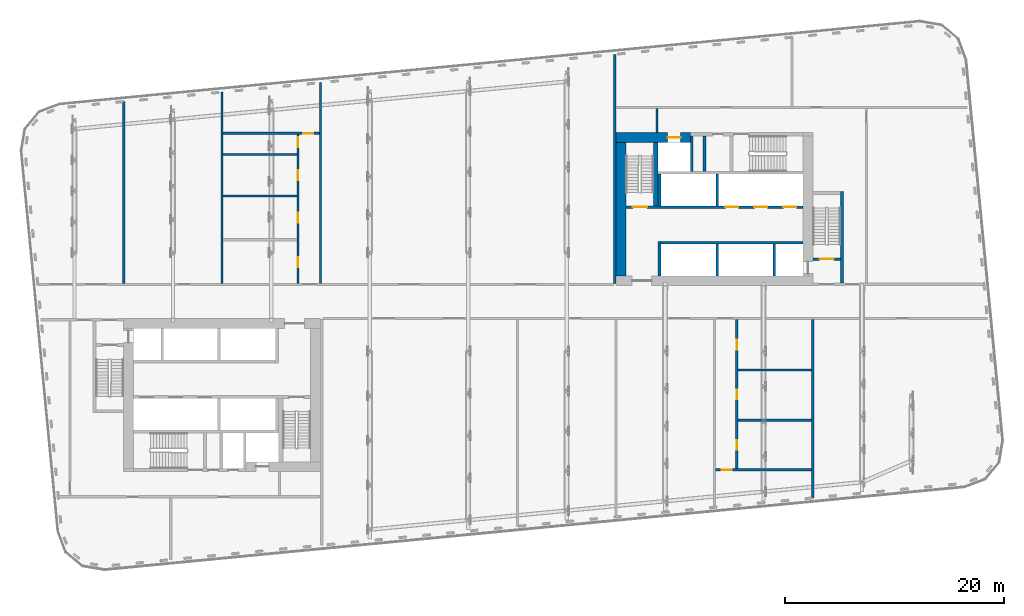
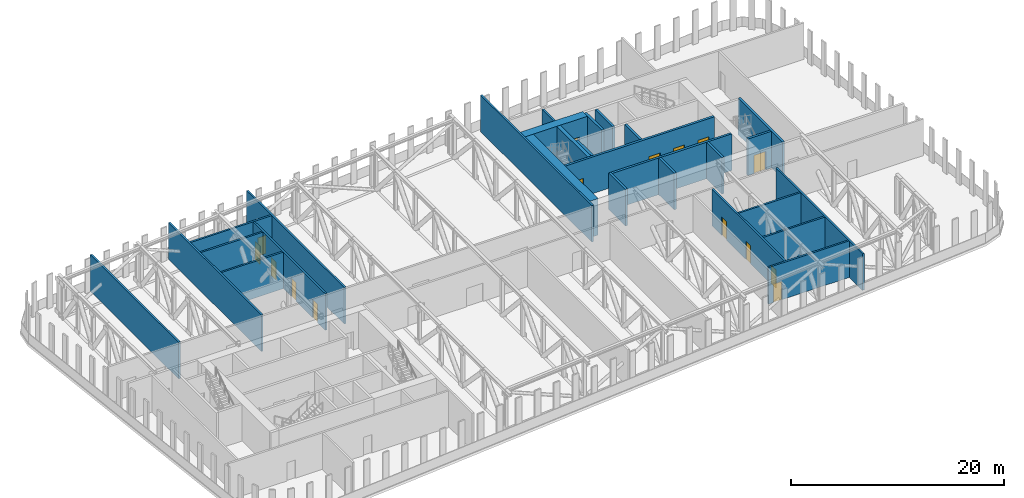
# One storey, part 10 of 22: 28 walls, 15 doors, 15 openings.
"""IFC4 building model written with IfcOpenShell, lengths in metres."""

import ifcopenshell
import ifcopenshell.guid

model = None  # the IFC model being written
_history = None  # IfcOwnerHistory: only IFC2X3 demands one
_inside = {}  # id of a spatial element -> (the spatial element, [elements in it])
_under = {}  # id of a project, library or spatial element -> (it, [spatial elements below it])
_declared = {}  # id of a project -> (the project, [libraries it declares])
_typed = {}  # id of a type object -> (the type object, [elements of that type])
_made_of = {}  # id of a material, layer set ... -> (it, [elements and type objects made of it])


def new_model(schema):
    """Start an empty IFC model of exactly this schema.

    Asked for "IFC4X3", IfcOpenShell would pick the latest addendum, in which some entities
    have other attributes; the version numbers below select the first issue.
    IFC2X3 requires an IfcOwnerHistory on every rooted entity: one is made here for all.
    """
    global model, _history
    if schema == "IFC4X3":
        model = ifcopenshell.file(schema_version=(4, 3, 0, 0))
    else:
        model = ifcopenshell.file(schema=schema)
    _inside.clear()
    _under.clear()
    _declared.clear()
    _typed.clear()
    _made_of.clear()
    _history = None
    if model.schema == "IFC2X3":
        org = make("IfcOrganization", Name="unknown")
        user = make(
            "IfcPersonAndOrganization",
            ThePerson=make("IfcPerson", FamilyName="unknown"),
            TheOrganization=org,
        )
        app = make(
            "IfcApplication",
            ApplicationDeveloper=org,
            Version="unknown",
            ApplicationFullName="unknown",
            ApplicationIdentifier="unknown",
        )
        _history = make(
            "IfcOwnerHistory",
            OwningUser=user,
            OwningApplication=app,
            ChangeAction="ADDED",
            CreationDate=0,
        )
    return model


def make(cls, **values):
    """One entity of the class cls with the attributes given. An attribute that is None is left unset."""
    return model.create_entity(
        cls, **{name: value for name, value in values.items() if value is not None}
    )


def rooted(cls, **values):
    """An entity with a GlobalId (a new one), such as an element, a storey or a relation."""
    return make(cls, GlobalId=ifcopenshell.guid.new(), OwnerHistory=_history, **values)


def si_unit(unit_type, name, prefix=None):
    """IfcSIUnit, for example si_unit("LENGTHUNIT", "METRE", prefix="MILLI")."""
    return make("IfcSIUnit", UnitType=unit_type, Prefix=prefix, Name=name)


def assignment(units):
    """IfcUnitAssignment: the units of a project."""
    return None if units is None else make("IfcUnitAssignment", Units=units)


def point(xyz):
    """IfcCartesianPoint."""
    return None if xyz is None else make("IfcCartesianPoint", Coordinates=xyz)


def direction(xyz):
    """IfcDirection."""
    return None if xyz is None else make("IfcDirection", DirectionRatios=xyz)


def frame(location, z_axis=None, x_axis=None):
    """IfcAxis2Placement3D, a coordinate frame: its origin and axes. An axis left out is left unset."""
    return make(
        "IfcAxis2Placement3D",
        Location=point(location),
        Axis=direction(z_axis),
        RefDirection=direction(x_axis),
    )


def frame_2d(location, x_axis=None):
    """IfcAxis2Placement2D, a coordinate frame in the plane: its origin and x axis."""
    return make(
        "IfcAxis2Placement2D", Location=point(location), RefDirection=direction(x_axis)
    )


def origin():
    """The frame at (0, 0, 0) with its axes left unset."""
    return frame((0.0, 0.0, 0.0))


def place(relative_to, where):
    """IfcLocalPlacement: puts the frame where relative to a parent placement (None: the world)."""
    return make(
        "IfcLocalPlacement", PlacementRelTo=relative_to, RelativePlacement=where
    )


def context(
    kind, dimensions, precision=None, world=None, true_north=None, identifier=None
):
    """IfcGeometricRepresentationContext, for example the 3D "Model" context."""
    return make(
        "IfcGeometricRepresentationContext",
        ContextIdentifier=identifier,
        ContextType=kind,
        CoordinateSpaceDimension=dimensions,
        Precision=precision,
        WorldCoordinateSystem=world,
        TrueNorth=true_north,
    )


def subcontext(parent, identifier, kind, view, scale=None):
    """IfcGeometricRepresentationSubContext, for example "Body" below "Model"."""
    return make(
        "IfcGeometricRepresentationSubContext",
        ContextIdentifier=identifier,
        ContextType=kind,
        ParentContext=parent,
        TargetScale=scale,
        TargetView=view,
    )


def project(units=None, contexts=None):
    """IfcProject with its units and contexts."""
    return rooted(
        "IfcProject",
        Name="project",
        RepresentationContexts=contexts,
        UnitsInContext=assignment(units),
    )


def spatial(cls, under=None, at=None, **own):
    """A site, building, storey or space (cls), placed at a placement, below another one or the project."""
    s = rooted(cls, ObjectPlacement=at, **own)
    if under is not None:
        _under.setdefault(under.id(), (under, []))[1].append(s)
    return s


def profile(cls, at=None, kind="AREA", **sizes):
    """A parametric profile (cls). Its sizes go by their IFC names, for example OverallWidth=200.0."""
    return make(cls, ProfileType=kind, Position=at, **sizes)


def rectangle(**sizes):
    """IfcRectangleProfileDef."""
    return profile("IfcRectangleProfileDef", **sizes)


def extrude(swept, where, along, depth):
    """IfcExtrudedAreaSolid: the profile swept, set in the frame where, extruded along a direction by depth."""
    return make(
        "IfcExtrudedAreaSolid",
        SweptArea=swept,
        Position=where,
        ExtrudedDirection=direction(along),
        Depth=depth,
    )


def shape(context_of_items, identifier, shape_type, items):
    """IfcShapeRepresentation: the items that make up one representation, for example the "Body"."""
    return make(
        "IfcShapeRepresentation",
        ContextOfItems=context_of_items,
        RepresentationIdentifier=identifier,
        RepresentationType=shape_type,
        Items=items,
    )


def material(Name=None, Category=None):
    """IfcMaterial."""
    return make("IfcMaterial", Name=Name, Category=Category)


def layer(
    of_material, thickness, ventilated=None, Name=None, Category=None, Priority=None
):
    """IfcMaterialLayer: one layer of a wall or slab, of a material (None: an air gap)."""
    return make(
        "IfcMaterialLayer",
        Material=of_material,
        LayerThickness=thickness,
        IsVentilated=ventilated,
        Name=Name,
        Category=Category,
        Priority=Priority,
    )


def layer_set(layers, Name=None):
    """IfcMaterialLayerSet."""
    return make("IfcMaterialLayerSet", MaterialLayers=layers, LayerSetName=Name)


def made_of(thing, what):
    """Note that an element or type object is made of a material, layer set ...; save() writes the relation."""
    if what is not None:
        _made_of.setdefault(what.id(), (what, []))[1].append(thing)
    return thing


def type_object(cls, material=None, **own):
    """A type object (cls), such as IfcWallType, which elements share."""
    return made_of(rooted(cls, **own), material)


def element(
    cls,
    number,
    at=None,
    inside=None,
    cuts=None,
    type_object=None,
    material=None,
    context=None,
    identifier="Body",
    shape_type=None,
    held_by="IfcProductDefinitionShape",
    body=None,
    shapes=None,
    **own,
):
    """One element of the class cls, such as IfcWall. Its Tag is "e" and its number.

    at: its placement. inside: the storey or other place that contains it. cuts: it is an
    opening in that element (IfcRelVoidsElement). A single representation is given by context,
    identifier, shape_type and body (its items); several are given by shapes. held_by: the class
    of the entity that holds the representations. save() writes the other relations.
    """
    e = rooted(cls, Tag="e%d" % number, ObjectPlacement=at, **own)
    if body is not None:
        shapes = [shape(context, identifier, shape_type, body)]
    if shapes is not None:
        e.Representation = make(held_by, Representations=shapes)
    if inside is not None:
        _inside.setdefault(inside.id(), (inside, []))[1].append(e)
    if cuts is not None:
        rooted(
            "IfcRelVoidsElement", RelatingBuildingElement=cuts, RelatedOpeningElement=e
        )
    if type_object is not None:
        _typed.setdefault(type_object.id(), (type_object, []))[1].append(e)
    return made_of(e, material)


def fill(opening, filler):
    """IfcRelFillsElement: the door or window that sits in an opening."""
    return rooted(
        "IfcRelFillsElement",
        RelatingOpeningElement=opening,
        RelatedBuildingElement=filler,
    )


def aggregate(whole, parts):
    """IfcRelAggregates: a whole, such as a stair, and the parts it consists of."""
    return rooted("IfcRelAggregates", RelatingObject=whole, RelatedObjects=parts)


def save(model, path):
    """Write the relations noted so far, then the file.

    IfcRelAggregates (storeys below a building ...), IfcRelContainedInSpatialStructure (elements
    in a storey), IfcRelDefinesByType, IfcRelAssociatesMaterial and IfcRelDeclares: one each for
    every whole, place, type object, material and project.
    """
    for whole, parts in _under.values():
        aggregate(whole, parts)
    for where, things in _inside.values():
        rooted(
            "IfcRelContainedInSpatialStructure",
            RelatedElements=things,
            RelatingStructure=where,
        )
    for kind, things in _typed.values():
        rooted("IfcRelDefinesByType", RelatedObjects=things, RelatingType=kind)
    for what, things in _made_of.values():
        rooted("IfcRelAssociatesMaterial", RelatedObjects=things, RelatingMaterial=what)
    for by, libraries in _declared.values():
        rooted("IfcRelDeclares", RelatingContext=by, RelatedDefinitions=libraries)
    model.write(path)


model = new_model("IFC4")

# Units and contexts
model_context = context("Model", 3, precision=1e-05, world=origin(), true_north=direction((0.0, 1.0)))
body_context = subcontext(model_context, "Body", "Model", "MODEL_VIEW")
ifc_project = project(units=[si_unit("LENGTHUNIT", "METRE"), si_unit("AREAUNIT", "SQUARE_METRE"), si_unit("VOLUMEUNIT", "CUBIC_METRE"), si_unit("PLANEANGLEUNIT", "RADIAN"), si_unit("MASSUNIT", "GRAM", prefix="KILO")], contexts=[model_context])

# Site, building, storey
site_placement = place(None, origin())
site = spatial("IfcSite", under=ifc_project, at=site_placement, CompositionType="ELEMENT")
building_placement = place(site_placement, origin())
building = spatial("IfcBuilding", under=site, at=building_placement, Name="Kajstack Hotel Tower", CompositionType="ELEMENT")
storey_placement = place(building_placement, frame((0.0, 0.0, 150.39990234375)))
storey = spatial("IfcBuildingStorey", under=building, at=storey_placement, Name="L35", CompositionType="ELEMENT", Elevation=150.39990234375)

# Wall, opening, door
ifc_material_1 = material(Name="Concrete C60/75", Category="concrete")
ifc_layer_1 = layer(ifc_material_1, 0.89990234375)
ifc_layer_set_1 = layer_set([ifc_layer_1], Name="Core wall 900")
wall_type_1 = type_object("IfcWallType", Name="Core wall 900", PredefinedType="SHEAR", material=ifc_layer_set_1)
wall_1_placement = place(storey_placement, frame((13.5, 15.050048828125, 0.0), z_axis=(0.0, 0.0, 1.0), x_axis=(1.0, 0.0, 0.0)))
wall_1 = element("IfcWall", 1, at=wall_1_placement, inside=storey, type_object=wall_type_1, Name="Core wall E RS", PredefinedType="SHEAR", context=body_context, shape_type="SweptSolid", body=[
    extrude(rectangle(XDim=6.800048828125, YDim=0.89990234375, at=frame_2d((3.39990234375, 0.0))), origin(), (0.0, 0.0, 1.0), 4.2001953125),
])
opening_1_placement = place(wall_1_placement, frame((4.72509765625, 0.0, 0.0)))
opening_1 = element("IfcOpeningElement", 2, at=opening_1_placement, cuts=wall_1, Name="Opening LD-SV2", PredefinedType="OPENING", context=body_context, shape_type="SweptSolid", body=[
    extrude(rectangle(XDim=1.199951171875, YDim=2.10009765625, at=frame_2d((0.60009765625, 1.050048828125))), frame((0.0, 0.4599609375, 0.0), z_axis=(0.0, -1.0, 0.0), x_axis=(1.0, 0.0, 0.0)), (0.0, 0.0, 1.0), 0.919921875),
])
ifc_material_2 = material(Name="Stainless steel", Category="steel")
door_type_1 = type_object("IfcDoorType", Name="Lift landing door 1200", OperationType="SLIDING_TO_LEFT", PredefinedType="DOOR", material=ifc_material_2)
door_1_placement = place(opening_1_placement, origin())
door_1 = element("IfcDoor", 3, at=door_1_placement, inside=storey, type_object=door_type_1, Name="Landing door SV2", OperationType="SLIDING_TO_LEFT", OverallHeight=2.10009765625, OverallWidth=1.199951171875, PredefinedType="DOOR", context=body_context, shape_type="SweptSolid", body=[
    extrude(rectangle(XDim=1.199951171875, YDim=2.10009765625, at=frame_2d((0.60009765625, 1.050048828125))), frame((0.0, 0.02490234375, 0.0), z_axis=(0.0, -1.0, 0.0), x_axis=(1.0, 0.0, 0.0)), (0.0, 0.0, 1.0), 0.050048828125),
])
fill(opening_1, door_1)

# Walls
wall_2_placement = place(storey_placement, frame((13.949951171875, 2.39990234375, 0.0), z_axis=(0.0, 0.0, 1.0), x_axis=(0.0, 1.0, 0.0)))
element("IfcWall", 4, at=wall_2_placement, inside=storey, type_object=wall_type_1, Name="Core wall E RE", PredefinedType="SHEAR", context=body_context, shape_type="SweptSolid", body=[
    extrude(rectangle(XDim=12.2001953125, YDim=0.89990234375, at=frame_2d((6.10009765625, 0.0))), origin(), (0.0, 0.0, 1.0), 4.2001953125),
])
ifc_material_3 = material(Name="Concrete C50/60", Category="concrete")
ifc_layer_2 = layer(ifc_material_3, 0.300048828125)
ifc_layer_set_2 = layer_set([ifc_layer_2], Name="Hoistway divider wall 300")
wall_type_2 = type_object("IfcWallType", Name="Hoistway divider wall 300", PredefinedType="SHEAR", material=ifc_layer_set_2)
wall_3_placement = place(storey_placement, frame((22.77490234375, 2.39990234375, 0.0), z_axis=(0.0, 0.0, 1.0), x_axis=(0.0, 1.0, 0.0)))
element("IfcWall", 5, at=wall_3_placement, inside=storey, type_object=wall_type_2, Name="Core wall E AP2", PredefinedType="SHEAR", context=body_context, shape_type="SweptSolid", body=[
    extrude(rectangle(XDim=2.900146484375, YDim=0.25, at=frame_2d((1.4501953125, 0.0))), origin(), (0.0, 0.0, 1.0), 4.2001953125),
])
wall_4_placement = place(storey_placement, frame((22.77490234375, 8.800048828125, 0.0), z_axis=(0.0, 0.0, 1.0), x_axis=(0.0, 1.0, 0.0)))
element("IfcWall", 6, at=wall_4_placement, inside=storey, type_object=wall_type_2, Name="Core wall E BP2", PredefinedType="SHEAR", context=body_context, shape_type="SweptSolid", body=[
    extrude(rectangle(XDim=2.89990234375, YDim=0.25, at=frame_2d((1.449951171875, 0.0))), origin(), (0.0, 0.0, 1.0), 4.2001953125),
])
ifc_material_4 = material(Name="Gypsum board on steel studs, mineral wool", Category="steel")
ifc_layer_3 = layer(ifc_material_4, 0.199951171875)
ifc_layer_set_3 = layer_set([ifc_layer_3], Name="Public partition 200")
wall_type_3 = type_object("IfcWallType", Name="Public partition 200", PredefinedType="PARTITIONING", material=ifc_layer_set_3)
wall_5_placement = place(storey_placement, frame((-13.5, 1.699951171875, 0.0), z_axis=(0.0, 0.0, 1.0), x_axis=(0.0, 1.0, 0.0)))
element("IfcWall", 7, at=wall_5_placement, inside=storey, type_object=wall_type_3, Name="Partition PX0", PredefinedType="PARTITIONING", context=body_context, shape_type="SweptSolid", body=[
    extrude(rectangle(XDim=18.3623046875, YDim=0.199951171875, at=frame_2d((9.18115234375, 0.0))), origin(), (0.0, 0.0, 1.0), 4.2001953125),
])

# Wall, openings, doors
wall_6_placement = place(storey_placement, frame((-15.550048828125, 1.699951171875, 0.0), z_axis=(0.0, 0.0, 1.0), x_axis=(0.0, 1.0, 0.0)))
wall_6 = element("IfcWall", 8, at=wall_6_placement, inside=storey, type_object=wall_type_3, Name="Partition C1CW", PredefinedType="PARTITIONING", context=body_context, shape_type="SweptSolid", body=[
    extrude(rectangle(XDim=13.629150390625, YDim=0.199951171875, at=frame_2d((6.814453125, 0.0))), origin(), (0.0, 0.0, 1.0), 4.2001953125),
])
opening_2_placement = place(wall_6_placement, frame((1.5, 0.0, 0.0)))
opening_2 = element("IfcOpeningElement", 9, at=opening_2_placement, cuts=wall_6, Name="Opening 35P04", PredefinedType="OPENING", context=body_context, shape_type="SweptSolid", body=[
    extrude(rectangle(XDim=0.89990234375, YDim=2.10009765625, at=frame_2d((0.449951171875, 1.050048828125))), frame((0.0, 0.10986328125, 0.0), z_axis=(0.0, -1.0, 0.0), x_axis=(1.0, 0.0, 0.0)), (0.0, 0.0, 1.0), 0.219970703125),
])
opening_3_placement = place(wall_6_placement, frame((5.550048828125, 0.0, 0.0)))
opening_3 = element("IfcOpeningElement", 10, at=opening_3_placement, cuts=wall_6, Name="Opening 35P05", PredefinedType="OPENING", context=body_context, shape_type="SweptSolid", body=[
    extrude(rectangle(XDim=0.89990234375, YDim=2.10009765625, at=frame_2d((0.449951171875, 1.050048828125))), frame((0.0, 0.10986328125, 0.0), z_axis=(0.0, -1.0, 0.0), x_axis=(1.0, 0.0, 0.0)), (0.0, 0.0, 1.0), 0.219970703125),
])
opening_4_placement = place(wall_6_placement, frame((9.449951171875, 0.0, 0.0)))
opening_4 = element("IfcOpeningElement", 11, at=opening_4_placement, cuts=wall_6, Name="Opening 35P06", PredefinedType="OPENING", context=body_context, shape_type="SweptSolid", body=[
    extrude(rectangle(XDim=0.89990234375, YDim=2.10009765625, at=frame_2d((0.449951171875, 1.050048828125))), frame((0.0, 0.10986328125, 0.0), z_axis=(0.0, -1.0, 0.0), x_axis=(1.0, 0.0, 0.0)), (0.0, 0.0, 1.0), 0.219970703125),
])
opening_5_placement = place(wall_6_placement, frame((12.464111328125, 0.0, 0.0)))
opening_5 = element("IfcOpeningElement", 12, at=opening_5_placement, cuts=wall_6, Name="Opening 35P07", PredefinedType="OPENING", context=body_context, shape_type="SweptSolid", body=[
    extrude(rectangle(XDim=0.89990234375, YDim=2.10009765625, at=frame_2d((0.449951171875, 1.050048828125))), frame((0.0, 0.10986328125, 0.0), z_axis=(0.0, -1.0, 0.0), x_axis=(1.0, 0.0, 0.0)), (0.0, 0.0, 1.0), 0.219970703125),
])
ifc_material_5 = material(Name="Timber leaf", Category="wood")
door_type_2 = type_object("IfcDoorType", Name="Public room door 900", OperationType="SINGLE_SWING_LEFT", PredefinedType="DOOR", material=ifc_material_5)
door_2_placement = place(opening_2_placement, origin())
door_2 = element("IfcDoor", 13, at=door_2_placement, inside=storey, type_object=door_type_2, Name="Door 35P04", OperationType="SINGLE_SWING_LEFT", OverallHeight=2.10009765625, OverallWidth=0.89990234375, PredefinedType="DOOR", context=body_context, shape_type="SweptSolid", body=[
    extrude(rectangle(XDim=0.89990234375, YDim=2.10009765625, at=frame_2d((0.449951171875, 1.050048828125))), frame((0.0, 0.02490234375, 0.0), z_axis=(0.0, -1.0, 0.0), x_axis=(1.0, 0.0, 0.0)), (0.0, 0.0, 1.0), 0.050048828125),
])
fill(opening_2, door_2)
door_3_placement = place(opening_3_placement, origin())
door_3 = element("IfcDoor", 14, at=door_3_placement, inside=storey, type_object=door_type_2, Name="Door 35P05", OperationType="SINGLE_SWING_LEFT", OverallHeight=2.10009765625, OverallWidth=0.89990234375, PredefinedType="DOOR", context=body_context, shape_type="SweptSolid", body=[
    extrude(rectangle(XDim=0.89990234375, YDim=2.10009765625, at=frame_2d((0.449951171875, 1.050048828125))), frame((0.0, 0.02490234375, 0.0), z_axis=(0.0, -1.0, 0.0), x_axis=(1.0, 0.0, 0.0)), (0.0, 0.0, 1.0), 0.050048828125),
])
fill(opening_3, door_3)
door_4_placement = place(opening_4_placement, origin())
door_4 = element("IfcDoor", 15, at=door_4_placement, inside=storey, type_object=door_type_2, Name="Door 35P06", OperationType="SINGLE_SWING_LEFT", OverallHeight=2.10009765625, OverallWidth=0.89990234375, PredefinedType="DOOR", context=body_context, shape_type="SweptSolid", body=[
    extrude(rectangle(XDim=0.89990234375, YDim=2.10009765625, at=frame_2d((0.449951171875, 1.050048828125))), frame((0.0, 0.02490234375, 0.0), z_axis=(0.0, -1.0, 0.0), x_axis=(1.0, 0.0, 0.0)), (0.0, 0.0, 1.0), 0.050048828125),
])
fill(opening_4, door_4)
door_5_placement = place(opening_5_placement, origin())
door_5 = element("IfcDoor", 16, at=door_5_placement, inside=storey, type_object=door_type_2, Name="Door 35P07", OperationType="SINGLE_SWING_LEFT", OverallHeight=2.10009765625, OverallWidth=0.89990234375, PredefinedType="DOOR", context=body_context, shape_type="SweptSolid", body=[
    extrude(rectangle(XDim=0.89990234375, YDim=2.10009765625, at=frame_2d((0.449951171875, 1.050048828125))), frame((0.0, 0.02490234375, 0.0), z_axis=(0.0, -1.0, 0.0), x_axis=(1.0, 0.0, 0.0)), (0.0, 0.0, 1.0), 0.050048828125),
])
fill(opening_5, door_5)

# Walls
for number, where, z_axis, x_axis, name in (
    (17, (-22.39990234375, 9.699951171875, 0.0), (0.0, 0.0, 1.0), (1.0, 0.0, 0.0), "Partition C1wP1"),
    (18, (-22.39990234375, 13.5, 0.0), (0.0, 0.0, 1.0), (1.0, 0.0, 0.0), "Partition C1wP2"),
):
    element("IfcWall", number, at=place(storey_placement, frame(where, z_axis=z_axis, x_axis=x_axis)), inside=storey, type_object=wall_type_3, Name=name, PredefinedType="PARTITIONING", context=body_context, shape_type="SweptSolid", body=[
        extrude(rectangle(XDim=6.75, YDim=0.199951171875, at=frame_2d((3.375, 0.0))), origin(), (0.0, 0.0, 1.0), 4.2001953125),
    ])

# Wall, opening, door
wall_7_placement = place(storey_placement, frame((-22.39990234375, 15.428955078125, 0.0), z_axis=(0.0, 0.0, 1.0), x_axis=(1.0, 0.0, 0.0)))
wall_7 = element("IfcWall", 19, at=wall_7_placement, inside=storey, type_object=wall_type_3, Name="Partition C1BW", PredefinedType="PARTITIONING", context=body_context, shape_type="SweptSolid", body=[
    extrude(rectangle(XDim=8.7998046875, YDim=0.199951171875, at=frame_2d((4.39990234375, 0.0))), origin(), (0.0, 0.0, 1.0), 4.2001953125),
])
opening_6_placement = place(wall_7_placement, frame((7.324951171875, 0.0, 0.0)))
opening_6 = element("IfcOpeningElement", 20, at=opening_6_placement, cuts=wall_7, Name="Opening 35P08", PredefinedType="OPENING", context=body_context, shape_type="SweptSolid", body=[
    extrude(rectangle(XDim=0.89990234375, YDim=2.10009765625, at=frame_2d((0.449951171875, 1.050048828125))), frame((0.0, 0.10986328125, 0.0), z_axis=(0.0, -1.0, 0.0), x_axis=(1.0, 0.0, 0.0)), (0.0, 0.0, 1.0), 0.219970703125),
])
door_6_placement = place(opening_6_placement, origin())
door_6 = element("IfcDoor", 21, at=door_6_placement, inside=storey, type_object=door_type_2, Name="Door 35P08", OperationType="SINGLE_SWING_LEFT", OverallHeight=2.10009765625, OverallWidth=0.89990234375, PredefinedType="DOOR", context=body_context, shape_type="SweptSolid", body=[
    extrude(rectangle(XDim=0.89990234375, YDim=2.10009765625, at=frame_2d((0.449951171875, 1.050048828125))), frame((0.0, 0.02490234375, 0.0), z_axis=(0.0, -1.0, 0.0), x_axis=(1.0, 0.0, 0.0)), (0.0, 0.0, 1.0), 0.050048828125),
])
fill(opening_6, door_6)

# Walls
wall_8_placement = place(storey_placement, frame((-22.5, 1.699951171875, 0.0), z_axis=(0.0, 0.0, 1.0), x_axis=(0.0, 1.0, 0.0)))
element("IfcWall", 22, at=wall_8_placement, inside=storey, type_object=wall_type_3, Name="Partition PX1", PredefinedType="PARTITIONING", context=body_context, shape_type="SweptSolid", body=[
    extrude(rectangle(XDim=17.495849609375, YDim=0.199951171875, at=frame_2d((8.748046875, 0.0))), origin(), (0.0, 0.0, 1.0), 4.2001953125),
])
wall_9_placement = place(storey_placement, frame((-31.5, 1.699951171875, 0.0), z_axis=(0.0, 0.0, 1.0), x_axis=(0.0, 1.0, 0.0)))
element("IfcWall", 23, at=wall_9_placement, inside=storey, type_object=wall_type_3, Name="Partition PX2", PredefinedType="PARTITIONING", context=body_context, shape_type="SweptSolid", body=[
    extrude(rectangle(XDim=16.629150390625, YDim=0.199951171875, at=frame_2d((8.314453125, 0.0))), origin(), (0.0, 0.0, 1.0), 4.2001953125),
])
wall_10_placement = place(storey_placement, frame((13.39990234375, 1.699951171875, 0.0), z_axis=(0.0, 0.0, 1.0), x_axis=(0.0, 1.0, 0.0)))
element("IfcWall", 24, at=wall_10_placement, inside=storey, type_object=wall_type_3, Name="Partition EW", PredefinedType="PARTITIONING", context=body_context, shape_type="SweptSolid", body=[
    extrude(rectangle(XDim=20.933349609375, YDim=0.199951171875, at=frame_2d((10.466796875, 0.0))), origin(), (0.0, 0.0, 1.0), 4.2001953125),
])

# Wall, openings, doors
wall_11_placement = place(storey_placement, frame((24.550048828125, -15.232666015625, 0.0), z_axis=(0.0, 0.0, 1.0), x_axis=(0.0, 1.0, 0.0)))
wall_11 = element("IfcWall", 25, at=wall_11_placement, inside=storey, type_object=wall_type_3, Name="Partition SC3CW", PredefinedType="PARTITIONING", context=body_context, shape_type="SweptSolid", body=[
    extrude(rectangle(XDim=13.632568359375, YDim=0.199951171875, at=frame_2d((6.81640625, 0.0))), origin(), (0.0, 0.0, 1.0), 4.2001953125),
])
opening_7_placement = place(wall_11_placement, frame((10.8828125, 0.0, 0.0)))
opening_7 = element("IfcOpeningElement", 26, at=opening_7_placement, cuts=wall_11, Name="Opening 35P17", PredefinedType="OPENING", context=body_context, shape_type="SweptSolid", body=[
    extrude(rectangle(XDim=0.89990234375, YDim=2.10009765625, at=frame_2d((0.449951171875, 1.050048828125))), frame((0.0, 0.10986328125, 0.0), z_axis=(0.0, -1.0, 0.0), x_axis=(1.0, 0.0, 0.0)), (0.0, 0.0, 1.0), 0.219970703125),
])
opening_8_placement = place(wall_11_placement, frame((6.332763671875, 0.0, 0.0)))
opening_8 = element("IfcOpeningElement", 27, at=opening_8_placement, cuts=wall_11, Name="Opening 35P18", PredefinedType="OPENING", context=body_context, shape_type="SweptSolid", body=[
    extrude(rectangle(XDim=0.89990234375, YDim=2.10009765625, at=frame_2d((0.449951171875, 1.050048828125))), frame((0.0, 0.10986328125, 0.0), z_axis=(0.0, -1.0, 0.0), x_axis=(1.0, 0.0, 0.0)), (0.0, 0.0, 1.0), 0.219970703125),
])
opening_9_placement = place(wall_11_placement, frame((1.716796875, 0.0, 0.0)))
opening_9 = element("IfcOpeningElement", 28, at=opening_9_placement, cuts=wall_11, Name="Opening 35P19", PredefinedType="OPENING", context=body_context, shape_type="SweptSolid", body=[
    extrude(rectangle(XDim=0.89990234375, YDim=2.10009765625, at=frame_2d((0.449951171875, 1.050048828125))), frame((0.0, 0.10986328125, 0.0), z_axis=(0.0, -1.0, 0.0), x_axis=(1.0, 0.0, 0.0)), (0.0, 0.0, 1.0), 0.219970703125),
])
door_7_placement = place(opening_7_placement, origin())
door_7 = element("IfcDoor", 29, at=door_7_placement, inside=storey, type_object=door_type_2, Name="Door 35P17", OperationType="SINGLE_SWING_RIGHT", OverallHeight=2.10009765625, OverallWidth=0.89990234375, PredefinedType="DOOR", context=body_context, shape_type="SweptSolid", body=[
    extrude(rectangle(XDim=0.89990234375, YDim=2.10009765625, at=frame_2d((0.449951171875, 1.050048828125))), frame((0.0, 0.02490234375, 0.0), z_axis=(0.0, -1.0, 0.0), x_axis=(1.0, 0.0, 0.0)), (0.0, 0.0, 1.0), 0.050048828125),
])
fill(opening_7, door_7)
door_8_placement = place(opening_8_placement, origin())
door_8 = element("IfcDoor", 30, at=door_8_placement, inside=storey, type_object=door_type_2, Name="Door 35P18", OperationType="SINGLE_SWING_RIGHT", OverallHeight=2.10009765625, OverallWidth=0.89990234375, PredefinedType="DOOR", context=body_context, shape_type="SweptSolid", body=[
    extrude(rectangle(XDim=0.89990234375, YDim=2.10009765625, at=frame_2d((0.449951171875, 1.050048828125))), frame((0.0, 0.02490234375, 0.0), z_axis=(0.0, -1.0, 0.0), x_axis=(1.0, 0.0, 0.0)), (0.0, 0.0, 1.0), 0.050048828125),
])
fill(opening_8, door_8)
door_9_placement = place(opening_9_placement, origin())
door_9 = element("IfcDoor", 31, at=door_9_placement, inside=storey, type_object=door_type_2, Name="Door 35P19", OperationType="SINGLE_SWING_RIGHT", OverallHeight=2.10009765625, OverallWidth=0.89990234375, PredefinedType="DOOR", context=body_context, shape_type="SweptSolid", body=[
    extrude(rectangle(XDim=0.89990234375, YDim=2.10009765625, at=frame_2d((0.449951171875, 1.050048828125))), frame((0.0, 0.02490234375, 0.0), z_axis=(0.0, -1.0, 0.0), x_axis=(1.0, 0.0, 0.0)), (0.0, 0.0, 1.0), 0.050048828125),
])
fill(opening_9, door_9)

# Walls
for number, where, z_axis, x_axis, name in (
    (32, (24.64990234375, -6.199951171875, 0.0), (0.0, 0.0, 1.0), (1.0, 0.0, 0.0), "Partition SC3wP0"),
    (33, (24.64990234375, -10.800048828125, 0.0), (0.0, 0.0, 1.0), (1.0, 0.0, 0.0), "Partition SC3wP1"),
):
    element("IfcWall", number, at=place(storey_placement, frame(where, z_axis=z_axis, x_axis=x_axis)), inside=storey, type_object=wall_type_3, Name=name, PredefinedType="PARTITIONING", context=body_context, shape_type="SweptSolid", body=[
        extrude(rectangle(XDim=6.75, YDim=0.199951171875, at=frame_2d((3.375, 0.0))), origin(), (0.0, 0.0, 1.0), 4.2001953125),
    ])

# Wall, opening, door
wall_12_placement = place(storey_placement, frame((22.60009765625, -15.332763671875, 0.0), z_axis=(0.0, 0.0, 1.0), x_axis=(1.0, 0.0, 0.0)))
wall_12 = element("IfcWall", 34, at=wall_12_placement, inside=storey, type_object=wall_type_3, Name="Partition SC3BW", PredefinedType="PARTITIONING", context=body_context, shape_type="SweptSolid", body=[
    extrude(rectangle(XDim=8.7998046875, YDim=0.199951171875, at=frame_2d((4.39990234375, 0.0))), origin(), (0.0, 0.0, 1.0), 4.2001953125),
])
opening_10_placement = place(wall_12_placement, frame((0.574951171875, 0.0, 0.0)))
opening_10 = element("IfcOpeningElement", 35, at=opening_10_placement, cuts=wall_12, Name="Opening 35P20", PredefinedType="OPENING", context=body_context, shape_type="SweptSolid", body=[
    extrude(rectangle(XDim=0.89990234375, YDim=2.10009765625, at=frame_2d((0.449951171875, 1.050048828125))), frame((0.0, 0.10986328125, 0.0), z_axis=(0.0, -1.0, 0.0), x_axis=(1.0, 0.0, 0.0)), (0.0, 0.0, 1.0), 0.219970703125),
])
door_10_placement = place(opening_10_placement, origin())
door_10 = element("IfcDoor", 36, at=door_10_placement, inside=storey, type_object=door_type_2, Name="Door 35P20", OperationType="SINGLE_SWING_RIGHT", OverallHeight=2.10009765625, OverallWidth=0.89990234375, PredefinedType="DOOR", context=body_context, shape_type="SweptSolid", body=[
    extrude(rectangle(XDim=0.89990234375, YDim=2.10009765625, at=frame_2d((0.449951171875, 1.050048828125))), frame((0.0, 0.02490234375, 0.0), z_axis=(0.0, -1.0, 0.0), x_axis=(1.0, 0.0, 0.0)), (0.0, 0.0, 1.0), 0.050048828125),
])
fill(opening_10, door_10)

# Walls
wall_13_placement = place(storey_placement, frame((31.5, -17.8994140625, 0.0), z_axis=(0.0, 0.0, 1.0), x_axis=(0.0, 1.0, 0.0)))
element("IfcWall", 37, at=wall_13_placement, inside=storey, type_object=wall_type_3, Name="Partition SPX3", PredefinedType="PARTITIONING", context=body_context, shape_type="SweptSolid", body=[
    extrude(rectangle(XDim=16.29931640625, YDim=0.199951171875, at=frame_2d((8.149658203125, 0.0))), origin(), (0.0, 0.0, 1.0), 4.2001953125),
])
ifc_material_6 = material(Name="Concrete block masonry", Category="masonry")
ifc_layer_4 = layer(ifc_material_6, 0.25)
ifc_layer_set_4 = layer_set([ifc_layer_4], Name="Riser partition 250")
wall_type_4 = type_object("IfcWallType", Name="Riser partition 250", PredefinedType="PARTITIONING", material=ifc_layer_set_4)
wall_14_placement = place(storey_placement, frame((21.60009765625, 11.949951171875, 0.0), z_axis=(0.0, 0.0, 1.0), x_axis=(0.0, 1.0, 0.0)))
element("IfcWall", 38, at=wall_14_placement, inside=storey, type_object=wall_type_4, Name="Partition E SZ0", PredefinedType="PARTITIONING", context=body_context, shape_type="SweptSolid", body=[
    extrude(rectangle(XDim=3.25, YDim=0.25, at=frame_2d((1.625, 0.0))), origin(), (0.0, 0.0, 1.0), 4.2001953125),
])
ifc_layer_5 = layer(ifc_material_4, 0.199951171875)
ifc_layer_set_5 = layer_set([ifc_layer_5], Name="Service partition 200")
wall_type_5 = type_object("IfcWallType", Name="Service partition 200", PredefinedType="PARTITIONING", material=ifc_layer_set_5)
wall_15_placement = place(storey_placement, frame((17.25, 15.5, 0.0), z_axis=(0.0, 0.0, 1.0), x_axis=(0.0, 1.0, 0.0)))
element("IfcWall", 39, at=wall_15_placement, inside=storey, type_object=wall_type_5, Name="Partition E SCE", PredefinedType="PARTITIONING", context=body_context, shape_type="SweptSolid", body=[
    extrude(rectangle(XDim=2.199951171875, YDim=0.199951171875, at=frame_2d((1.10009765625, 0.0))), origin(), (0.0, 0.0, 1.0), 4.2001953125),
])
ifc_layer_6 = layer(ifc_material_3, 0.25)
ifc_layer_set_6 = layer_set([ifc_layer_6], Name="Shaft wall 250")
wall_type_6 = type_object("IfcWallType", Name="Shaft wall 250", PredefinedType="SHEAR", material=ifc_layer_set_6)
wall_16_placement = place(storey_placement, frame((17.60009765625, 5.425048828125, 0.0), z_axis=(0.0, 0.0, 1.0), x_axis=(1.0, 0.0, 0.0)))
element("IfcWall", 40, at=wall_16_placement, inside=storey, type_object=wall_type_6, Name="Core wall E FA", PredefinedType="SHEAR", context=body_context, shape_type="SweptSolid", body=[
    extrude(rectangle(XDim=13.0, YDim=0.25, at=frame_2d((6.5, 0.0))), origin(), (0.0, 0.0, 1.0), 4.2001953125),
])
wall_17_placement = place(storey_placement, frame((17.47509765625, 2.39990234375, 0.0), z_axis=(0.0, 0.0, 1.0), x_axis=(0.0, 1.0, 0.0)))
element("IfcWall", 41, at=wall_17_placement, inside=storey, type_object=wall_type_6, Name="Core wall E AE", PredefinedType="SHEAR", context=body_context, shape_type="SweptSolid", body=[
    extrude(rectangle(XDim=3.150146484375, YDim=0.25, at=frame_2d((1.5751953125, 0.0))), origin(), (0.0, 0.0, 1.0), 4.2001953125),
])
wall_18_placement = place(storey_placement, frame((27.97509765625, 2.39990234375, 0.0), z_axis=(0.0, 0.0, 1.0), x_axis=(0.0, 1.0, 0.0)))
element("IfcWall", 42, at=wall_18_placement, inside=storey, type_object=wall_type_6, Name="Core wall E AP0", PredefinedType="SHEAR", context=body_context, shape_type="SweptSolid", body=[
    extrude(rectangle(XDim=2.900146484375, YDim=0.25, at=frame_2d((1.4501953125, 0.0))), origin(), (0.0, 0.0, 1.0), 4.2001953125),
])

# Wall, openings, doors
wall_19_placement = place(storey_placement, frame((14.39990234375, 8.675048828125, 0.0), z_axis=(0.0, 0.0, 1.0), x_axis=(1.0, 0.0, 0.0)))
wall_19 = element("IfcWall", 43, at=wall_19_placement, inside=storey, type_object=wall_type_6, Name="Core wall E FB", PredefinedType="SHEAR", context=body_context, shape_type="SweptSolid", body=[
    extrude(rectangle(XDim=16.2001953125, YDim=0.25, at=frame_2d((8.10009765625, 0.0))), origin(), (0.0, 0.0, 1.0), 4.2001953125),
])
opening_11_placement = place(wall_19_placement, frame((14.39990234375, 0.0, 0.0)))
opening_11 = element("IfcOpeningElement", 44, at=opening_11_placement, cuts=wall_19, Name="Opening LD-LR4", PredefinedType="OPENING", context=body_context, shape_type="SweptSolid", body=[
    extrude(rectangle(XDim=1.199951171875, YDim=2.10009765625, at=frame_2d((0.60009765625, 1.050048828125))), frame((0.0, 0.135009765625, 0.0), z_axis=(0.0, -1.0, 0.0), x_axis=(1.0, 0.0, 0.0)), (0.0, 0.0, 1.0), 0.27001953125),
])
opening_12_placement = place(wall_19_placement, frame((11.75, 0.0, 0.0)))
opening_12 = element("IfcOpeningElement", 45, at=opening_12_placement, cuts=wall_19, Name="Opening LD-LR5", PredefinedType="OPENING", context=body_context, shape_type="SweptSolid", body=[
    extrude(rectangle(XDim=1.199951171875, YDim=2.10009765625, at=frame_2d((0.60009765625, 1.050048828125))), frame((0.0, 0.135009765625, 0.0), z_axis=(0.0, -1.0, 0.0), x_axis=(1.0, 0.0, 0.0)), (0.0, 0.0, 1.0), 0.27001953125),
])
opening_13_placement = place(wall_19_placement, frame((9.10009765625, 0.0, 0.0)))
opening_13 = element("IfcOpeningElement", 46, at=opening_13_placement, cuts=wall_19, Name="Opening LD-LR6", PredefinedType="OPENING", context=body_context, shape_type="SweptSolid", body=[
    extrude(rectangle(XDim=1.199951171875, YDim=2.10009765625, at=frame_2d((0.60009765625, 1.050048828125))), frame((0.0, 0.135009765625, 0.0), z_axis=(0.0, -1.0, 0.0), x_axis=(1.0, 0.0, 0.0)), (0.0, 0.0, 1.0), 0.27001953125),
])
opening_14_placement = place(wall_19_placement, frame((0.64990234375, 0.0, 0.0)))
opening_14 = element("IfcOpeningElement", 47, at=opening_14_placement, cuts=wall_19, Name="Opening 35E10", PredefinedType="OPENING", context=body_context, shape_type="SweptSolid", body=[
    extrude(rectangle(XDim=1.300048828125, YDim=2.10009765625, at=frame_2d((0.64990234375, 1.050048828125))), frame((0.0, 0.135009765625, 0.0), z_axis=(0.0, -1.0, 0.0), x_axis=(1.0, 0.0, 0.0)), (0.0, 0.0, 1.0), 0.27001953125),
])
door_11_placement = place(opening_11_placement, origin())
door_11 = element("IfcDoor", 48, at=door_11_placement, inside=storey, type_object=door_type_1, Name="Landing door LR4", OperationType="SLIDING_TO_LEFT", OverallHeight=2.10009765625, OverallWidth=1.199951171875, PredefinedType="DOOR", context=body_context, shape_type="SweptSolid", body=[
    extrude(rectangle(XDim=1.199951171875, YDim=2.10009765625, at=frame_2d((0.60009765625, 1.050048828125))), frame((0.0, 0.02490234375, 0.0), z_axis=(0.0, -1.0, 0.0), x_axis=(1.0, 0.0, 0.0)), (0.0, 0.0, 1.0), 0.050048828125),
])
fill(opening_11, door_11)
door_12_placement = place(opening_12_placement, origin())
door_12 = element("IfcDoor", 49, at=door_12_placement, inside=storey, type_object=door_type_1, Name="Landing door LR5", OperationType="SLIDING_TO_RIGHT", OverallHeight=2.10009765625, OverallWidth=1.199951171875, PredefinedType="DOOR", context=body_context, shape_type="SweptSolid", body=[
    extrude(rectangle(XDim=1.199951171875, YDim=2.10009765625, at=frame_2d((0.60009765625, 1.050048828125))), frame((0.0, 0.02490234375, 0.0), z_axis=(0.0, -1.0, 0.0), x_axis=(1.0, 0.0, 0.0)), (0.0, 0.0, 1.0), 0.050048828125),
])
fill(opening_12, door_12)
door_13_placement = place(opening_13_placement, origin())
door_13 = element("IfcDoor", 50, at=door_13_placement, inside=storey, type_object=door_type_1, Name="Landing door LR6", OperationType="SLIDING_TO_RIGHT", OverallHeight=2.10009765625, OverallWidth=1.199951171875, PredefinedType="DOOR", context=body_context, shape_type="SweptSolid", body=[
    extrude(rectangle(XDim=1.199951171875, YDim=2.10009765625, at=frame_2d((0.60009765625, 1.050048828125))), frame((0.0, 0.02490234375, 0.0), z_axis=(0.0, -1.0, 0.0), x_axis=(1.0, 0.0, 0.0)), (0.0, 0.0, 1.0), 0.050048828125),
])
fill(opening_13, door_13)
ifc_material_7 = material(Name="Steel leaf, fire-rated", Category="steel")
door_type_3 = type_object("IfcDoorType", Name="Stair door 1300", OperationType="SINGLE_SWING_LEFT", PredefinedType="DOOR", material=ifc_material_7)
door_14_placement = place(opening_14_placement, origin())
door_14 = element("IfcDoor", 51, at=door_14_placement, inside=storey, type_object=door_type_3, Name="Door 35E10", OperationType="SINGLE_SWING_LEFT", OverallHeight=2.10009765625, OverallWidth=1.300048828125, PredefinedType="DOOR", context=body_context, shape_type="SweptSolid", body=[
    extrude(rectangle(XDim=1.300048828125, YDim=2.10009765625, at=frame_2d((0.64990234375, 1.050048828125))), frame((0.0, 0.02490234375, 0.0), z_axis=(0.0, -1.0, 0.0), x_axis=(1.0, 0.0, 0.0)), (0.0, 0.0, 1.0), 0.050048828125),
])
fill(opening_14, door_14)

# Walls
wall_20_placement = place(storey_placement, frame((17.47509765625, 8.800048828125, 0.0), z_axis=(0.0, 0.0, 1.0), x_axis=(0.0, 1.0, 0.0)))
element("IfcWall", 52, at=wall_20_placement, inside=storey, type_object=wall_type_6, Name="Core wall E BE", PredefinedType="SHEAR", context=body_context, shape_type="SweptSolid", body=[
    extrude(rectangle(XDim=2.89990234375, YDim=0.25, at=frame_2d((1.449951171875, 0.0))), origin(), (0.0, 0.0, 1.0), 4.2001953125),
])
wall_21_placement = place(storey_placement, frame((20.425048828125, 11.949951171875, 0.0), z_axis=(0.0, 0.0, 1.0), x_axis=(0.0, 1.0, 0.0)))
element("IfcWall", 53, at=wall_21_placement, inside=storey, type_object=wall_type_6, Name="Core wall E SVW", PredefinedType="SHEAR", context=body_context, shape_type="SweptSolid", body=[
    extrude(rectangle(XDim=3.25, YDim=0.25, at=frame_2d((1.625, 0.0))), origin(), (0.0, 0.0, 1.0), 4.2001953125),
])

# Wall, opening, door
ifc_material_8 = material(Name="Concrete C40/50", Category="concrete")
ifc_layer_7 = layer(ifc_material_8, 0.25)
ifc_layer_set_7 = layer_set([ifc_layer_7], Name="Stair enclosure wall 250")
wall_type_7 = type_object("IfcWallType", Name="Stair enclosure wall 250", PredefinedType="SHEAR", material=ifc_layer_set_7)
wall_22_placement = place(storey_placement, frame((31.5, 3.925048828125, 0.0), z_axis=(0.0, 0.0, 1.0), x_axis=(1.0, 0.0, 0.0)))
wall_22 = element("IfcWall", 54, at=wall_22_placement, inside=storey, type_object=wall_type_7, Name="Core wall E W1N", PredefinedType="SHEAR", context=body_context, shape_type="SweptSolid", body=[
    extrude(rectangle(XDim=2.550048828125, YDim=0.25, at=frame_2d((1.27490234375, 0.0))), origin(), (0.0, 0.0, 1.0), 4.2001953125),
])
opening_15_placement = place(wall_22_placement, frame((0.625, 0.0, 0.0)))
opening_15 = element("IfcOpeningElement", 55, at=opening_15_placement, cuts=wall_22, Name="Opening 35E08", PredefinedType="OPENING", context=body_context, shape_type="SweptSolid", body=[
    extrude(rectangle(XDim=1.300048828125, YDim=2.10009765625, at=frame_2d((0.64990234375, 1.050048828125))), frame((0.0, 0.135009765625, 0.0), z_axis=(0.0, -1.0, 0.0), x_axis=(1.0, 0.0, 0.0)), (0.0, 0.0, 1.0), 0.27001953125),
])
door_15_placement = place(opening_15_placement, origin())
door_15 = element("IfcDoor", 56, at=door_15_placement, inside=storey, type_object=door_type_3, Name="Door 35E08", OperationType="SINGLE_SWING_LEFT", OverallHeight=2.10009765625, OverallWidth=1.300048828125, PredefinedType="DOOR", context=body_context, shape_type="SweptSolid", body=[
    extrude(rectangle(XDim=1.300048828125, YDim=2.10009765625, at=frame_2d((0.64990234375, 1.050048828125))), frame((0.0, 0.02490234375, 0.0), z_axis=(0.0, -1.0, 0.0), x_axis=(1.0, 0.0, 0.0)), (0.0, 0.0, 1.0), 0.050048828125),
])
fill(opening_15, door_15)

# Walls
wall_23_placement = place(storey_placement, frame((34.175048828125, 1.75, 0.0), z_axis=(0.0, 0.0, 1.0), x_axis=(0.0, 1.0, 0.0)))
element("IfcWall", 57, at=wall_23_placement, inside=storey, type_object=wall_type_7, Name="Core wall E W1W", PredefinedType="SHEAR", context=body_context, shape_type="SweptSolid", body=[
    extrude(rectangle(XDim=8.35009765625, YDim=0.25, at=frame_2d((4.175048828125, 0.0))), origin(), (0.0, 0.0, 1.0), 4.2001953125),
])
ifc_layer_8 = layer(ifc_material_3, 0.39990234375)
ifc_layer_set_8 = layer_set([ifc_layer_8], Name="Stair wall 400")
wall_type_8 = type_object("IfcWallType", Name="Stair wall 400", PredefinedType="SHEAR", material=ifc_layer_set_8)
wall_24_placement = place(storey_placement, frame((17.14990234375, 8.800048828125, 0.0), z_axis=(0.0, 0.0, 1.0), x_axis=(0.0, 1.0, 0.0)))
element("IfcWall", 58, at=wall_24_placement, inside=storey, type_object=wall_type_8, Name="Core wall E WW2", PredefinedType="SHEAR", context=body_context, shape_type="SweptSolid", body=[
    extrude(rectangle(XDim=5.800048828125, YDim=0.39990234375, at=frame_2d((2.89990234375, 0.0))), origin(), (0.0, 0.0, 1.0), 4.2001953125),
])

save(model, "model.ifc")
